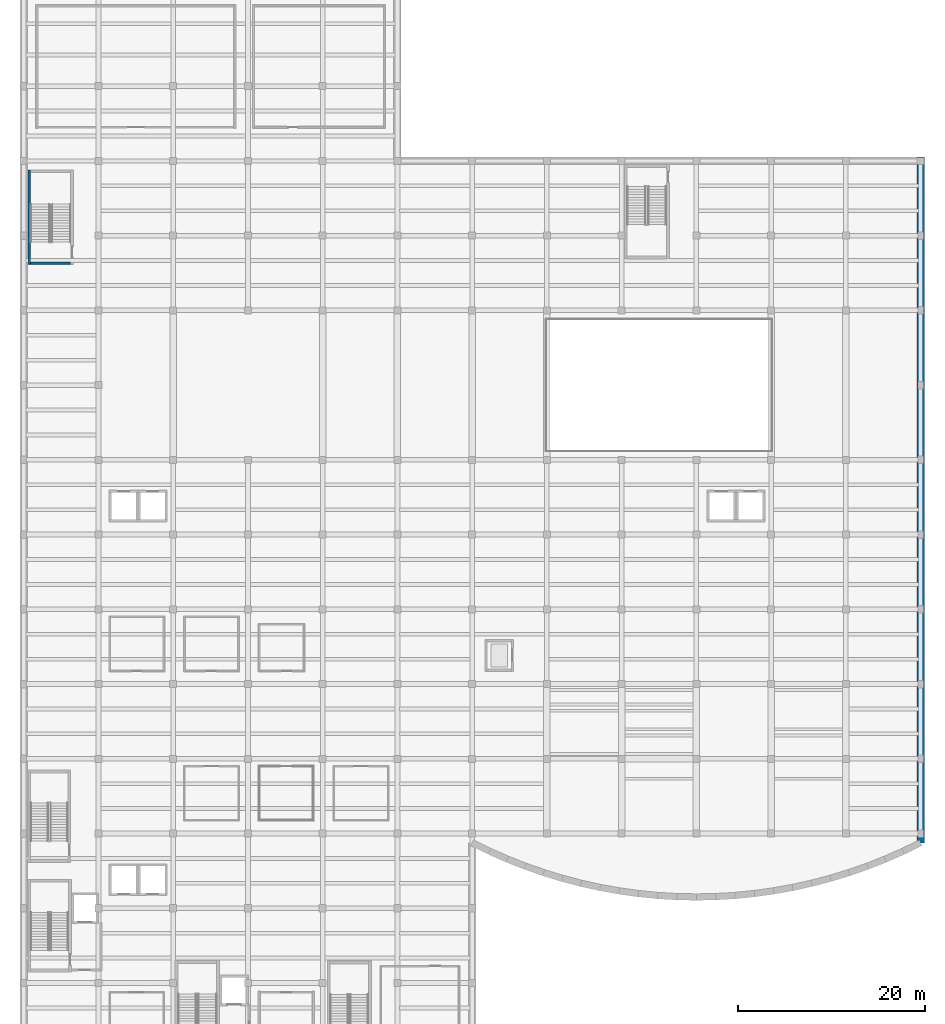
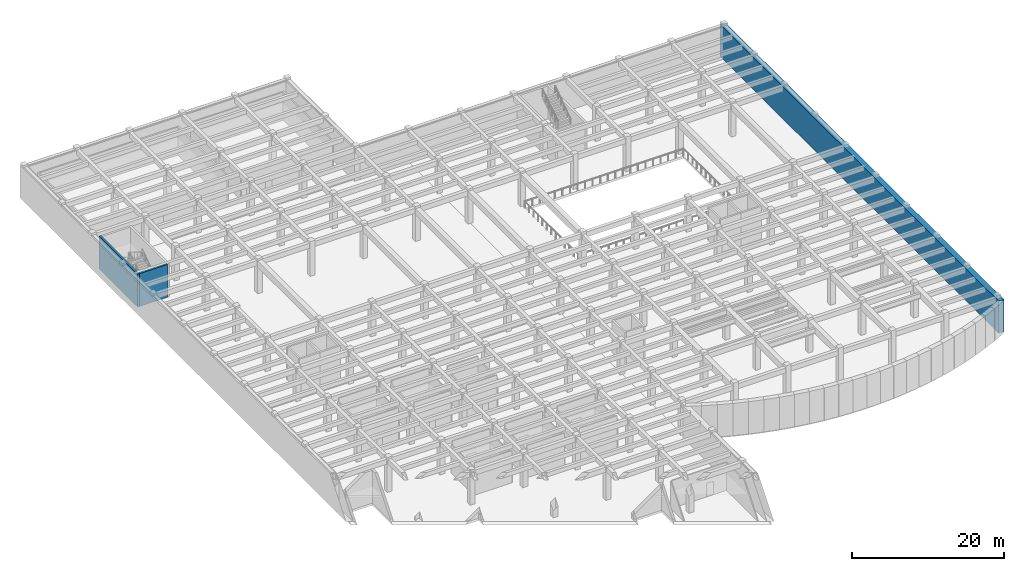
# One storey, part 9 of 19: 3 walls.
"""IFC4 building model written with IfcOpenShell, lengths in metres."""

from ifc_helpers import new_model, si_unit, direction, frame, frame_2d, origin, place, context, subcontext, project, spatial, rectangle, extrude, material, layer, layer_set, type_object, element, save


model = new_model("IFC4")

# Units and contexts
model_context = context("Model", 3, precision=1e-05, world=origin(), true_north=direction((0.0, 1.0)))
body_context = subcontext(model_context, "Body", "Model", "MODEL_VIEW")
ifc_project = project(units=[si_unit("LENGTHUNIT", "METRE"), si_unit("AREAUNIT", "SQUARE_METRE"), si_unit("VOLUMEUNIT", "CUBIC_METRE"), si_unit("PLANEANGLEUNIT", "RADIAN"), si_unit("MASSUNIT", "GRAM", prefix="KILO")], contexts=[model_context])

# Site, building, storey
site_placement = place(None, origin())
site = spatial("IfcSite", under=ifc_project, at=site_placement, CompositionType="ELEMENT")
building_placement = place(site_placement, origin())
building = spatial("IfcBuilding", under=site, at=building_placement, Name="Drelvath Fold Interchange", CompositionType="ELEMENT")
storey_placement = place(building_placement, frame((0.0, 0.0, -5.60009765625)))
storey = spatial("IfcBuildingStorey", under=building, at=storey_placement, Name="B1", CompositionType="ELEMENT", Elevation=-5.60009765625)

# Walls
ifc_material = material(Name="Concrete f'c 45 MPa (6500 psi)", Category="concrete")
ifc_layer_1 = layer(ifc_material, 0.300048828125, Name="Concrete f'c 45 MPa (6500 psi)")
ifc_layer_set_1 = layer_set([ifc_layer_1], Name="Concrete f'c 45 MPa (6500 psi)")
wall_type_1 = type_object("IfcWallType", Name="WL-CR300", PredefinedType="SHEAR", material=ifc_layer_set_1)
wall_1_placement = place(storey_placement, frame((4.75, 88.050048828125, 0.0), z_axis=(0.0, 0.0, 1.0), x_axis=(1.0, 0.0, 0.0)))
element("IfcWall", 1, at=wall_1_placement, inside=storey, type_object=wall_type_1, Name="ST-05 B1 south core wall", PredefinedType="SHEAR", context=body_context, shape_type="SweptSolid", body=[
    extrude(rectangle(XDim=4.280029296875, YDim=0.300048828125, at=frame_2d((2.14013671875, 0.0))), origin(), (0.0, 0.0, 1.0), 5.275146484375),
])
wall_2_placement = place(storey_placement, frame((4.60009765625, 98.050048828125, 0.0), z_axis=(0.0, 0.0, 1.0), x_axis=(0.0, -1.0, 0.0)))
element("IfcWall", 2, at=wall_2_placement, inside=storey, type_object=wall_type_1, Name="ST-05 B1 west core wall", PredefinedType="SHEAR", context=body_context, shape_type="SweptSolid", body=[
    extrude(rectangle(XDim=10.150146484375, YDim=0.300048828125, at=frame_2d((5.0751953125, 0.0))), origin(), (0.0, 0.0, 1.0), 5.275146484375),
])
ifc_layer_2 = layer(ifc_material, 0.800048828125, Name="Concrete f'c 45 MPa (6500 psi)")
ifc_layer_set_2 = layer_set([ifc_layer_2], Name="Concrete f'c 45 MPa (6500 psi)")
wall_type_2 = type_object("IfcWallType", Name="WL-DW800", PredefinedType="SOLIDWALL", material=ifc_layer_set_2)
wall_3_placement = place(storey_placement, frame((100.0, 26.0, 0.0), z_axis=(0.0, 0.0, 1.0), x_axis=(0.0, 1.0, 0.0)))
element("IfcWall", 3, at=wall_3_placement, inside=storey, type_object=wall_type_2, Name="B1 diaphragm wall 34", PredefinedType="SOLIDWALL", context=body_context, shape_type="SweptSolid", body=[
    extrude(rectangle(XDim=73.39990234375, YDim=0.800048828125, at=frame_2d((36.699951171875, 0.0))), origin(), (0.0, 0.0, 1.0), 5.18017578125),
])

save(model, "model.ifc")
